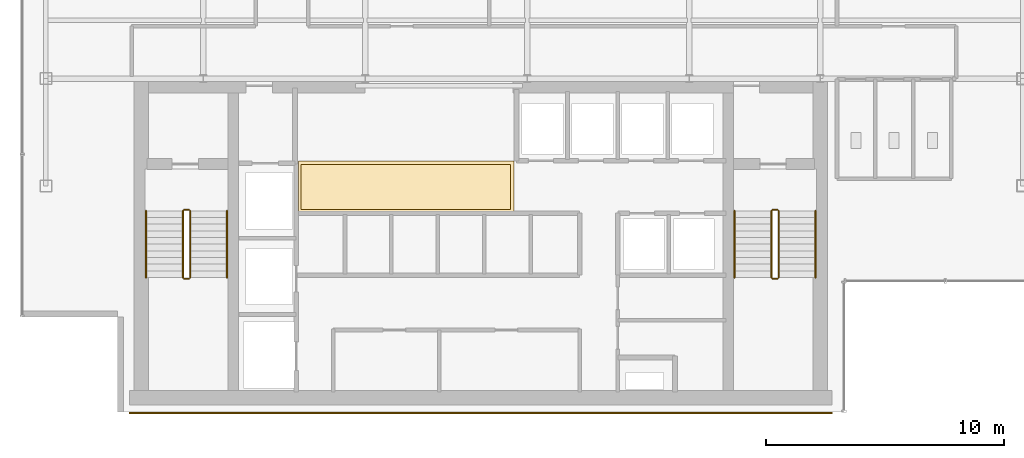
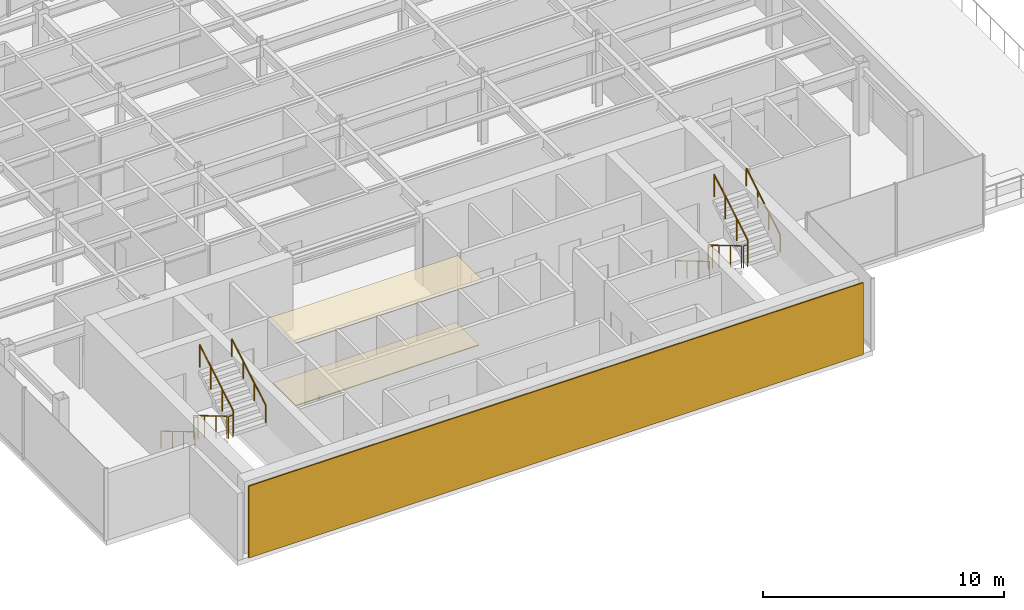
# One storey, part 19 of 21: 12 railings, 3 coverings.
"""IFC4 building model written with IfcOpenShell, lengths in metres."""

from ifc_helpers import new_model, si_unit, derived_unit, direction, frame, origin, origin_2d, place, context, subcontext, project, spatial, polyline, rectangle, circle, outline, extrude, source, transform, mapped, material, layer, layer_set, type_object, element, save


model = new_model("IFC4")

# Units and contexts
model_context = context("Model", 3, precision=1e-05, world=origin(), true_north=direction((0.0, 1.0)))
body_context = subcontext(model_context, "Body", "Model", "MODEL_VIEW")
ifc_project = project(units=[si_unit("LENGTHUNIT", "METRE"), si_unit("AREAUNIT", "SQUARE_METRE"), si_unit("VOLUMEUNIT", "CUBIC_METRE"), si_unit("PLANEANGLEUNIT", "RADIAN"), si_unit("MASSUNIT", "GRAM", prefix="KILO"), derived_unit("THERMALTRANSMITTANCEUNIT", [(si_unit("POWERUNIT", "WATT"), 1), (si_unit("LENGTHUNIT", "METRE"), -2), (si_unit("THERMODYNAMICTEMPERATUREUNIT", "KELVIN"), -1)])], contexts=[model_context])

# Site, building, storey
site_placement = place(None, origin())
site = spatial("IfcSite", under=ifc_project, at=site_placement, CompositionType="ELEMENT")
building_placement = place(site_placement, origin())
building = spatial("IfcBuilding", under=site, at=building_placement, Name="Skarnbrae Concourse Arena and Tower", CompositionType="ELEMENT")
storey_placement = place(building_placement, frame((0.0, 0.0, 188.60009765625)))
storey = spatial("IfcBuildingStorey", under=building, at=storey_placement, Name="L48", CompositionType="ELEMENT", Elevation=188.60009765625)

# Coverings
ifc_material_1 = material(Name="Mineral fibre acoustic ceiling tile", Category="other")
ifc_layer_1 = layer(ifc_material_1, 0.0400390625)
ifc_layer_set_1 = layer_set([ifc_layer_1], Name="Mineral fibre acoustic ceiling tile")
covering_type_1 = type_object("IfcCoveringType", Name="COV-CEIL-ACOUSTIC", PredefinedType="CEILING", material=ifc_layer_set_1)
covering_1_placement = place(storey_placement, frame((0.0, 0.0, 3.239990234375)))
element("IfcCovering", 1, at=covering_1_placement, inside=storey, type_object=covering_type_1, Name="L48 Lift lobby acoustic ceiling", PredefinedType="CEILING", context=body_context, shape_type="SweptSolid", body=[
    extrude(outline(polyline([(11.60009765625, 8.39990234375), (20.64990234375, 8.39990234375), (20.64990234375, 10.550048828125), (11.60009765625, 10.550048828125), (11.60009765625, 8.39990234375)])), origin(), (0.0, 0.0, 1.0), 0.039794921875),
])
ifc_material_2 = material(Name="Polished granite terrazzo flooring", Category="masonry")
ifc_layer_2 = layer(ifc_material_2, 0.0400390625)
ifc_layer_set_2 = layer_set([ifc_layer_2], Name="Polished granite terrazzo flooring")
covering_type_2 = type_object("IfcCoveringType", Name="COV-FLOOR-TERRAZZO", PredefinedType="FLOORING", material=ifc_layer_set_2)
covering_2_placement = place(storey_placement, origin())
element("IfcCovering", 2, at=covering_2_placement, inside=storey, type_object=covering_type_2, Name="L48 Lift lobby terrazzo flooring", PredefinedType="FLOORING", context=body_context, shape_type="SweptSolid", body=[
    extrude(outline(polyline([(11.699951171875, 8.5), (20.5, 8.5), (20.5, 10.39990234375), (11.699951171875, 10.39990234375), (11.699951171875, 8.5)])), origin(), (0.0, 0.0, 1.0), 0.039794921875),
])

# Railings
ifc_material_3 = material(Name="Steel CSA G40.21 350W", Category="steel")
railing_type_1 = type_object("IfcRailingType", Name="RAIL-HANDRAIL-900", PredefinedType="HANDRAIL", material=ifc_material_3)
railing_1_placement = place(storey_placement, frame((5.199951171875, 8.449951171875, 0.165771484375)))
element("IfcRailing", 3, at=railing_1_placement, inside=storey, type_object=railing_type_1, Name="L48 ST-1 stair handrail 1", PredefinedType="HANDRAIL", context=body_context, shape_type="SweptSolid", body=[
    extrude(circle(Radius=0.02392578125, at=origin_2d()), frame((0.0, 0.0, 0.8759765625), z_axis=(0.0, -0.860306154799, 0.50977771628), x_axis=(1.0, 0.0, 0.0)), (0.0, 0.0, 1.0), 3.254638671875),
    extrude(circle(Radius=0.02099609375, at=origin_2d()), origin(), (0.0, 0.0, 1.0), 0.851806640625),
    extrude(circle(Radius=0.02099609375, at=origin_2d()), frame((0.0, -0.933349609375, 0.552978515625)), (0.0, 0.0, 1.0), 0.851806640625),
    extrude(circle(Radius=0.02099609375, at=origin_2d()), frame((0.0, -1.86669921875, 1.106201171875)), (0.0, 0.0, 1.0), 0.851806640625),
    extrude(circle(Radius=0.02099609375, at=origin_2d()), frame((0.0, -2.800048828125, 1.6591796875)), (0.0, 0.0, 1.0), 0.851806640625),
])
railing_2_placement = place(storey_placement, frame((8.60009765625, 5.64990234375, 1.99072265625)))
element("IfcRailing", 4, at=railing_2_placement, inside=storey, type_object=railing_type_1, Name="L48 ST-1 stair handrail 2", PredefinedType="HANDRAIL", context=body_context, shape_type="SweptSolid", body=[
    extrude(circle(Radius=0.02392578125, at=origin_2d()), frame((0.0, 0.0, 0.8759765625), z_axis=(0.0, 0.860306154799, 0.50977771628), x_axis=(-1.0, 0.0, 0.0)), (0.0, 0.0, 1.0), 3.254638671875),
    extrude(circle(Radius=0.02099609375, at=origin_2d()), origin(), (0.0, 0.0, 1.0), 0.851806640625),
    extrude(circle(Radius=0.02099609375, at=origin_2d()), frame((0.0, 0.933349609375, 0.552978515625)), (0.0, 0.0, 1.0), 0.851806640625),
    extrude(circle(Radius=0.02099609375, at=origin_2d()), frame((0.0, 1.86669921875, 1.106201171875)), (0.0, 0.0, 1.0), 0.851806640625),
    extrude(circle(Radius=0.02099609375, at=origin_2d()), frame((0.0, 2.800048828125, 1.6591796875)), (0.0, 0.0, 1.0), 0.851806640625),
])
railing_3_placement = place(storey_placement, frame((29.89990234375, 8.449951171875, 0.165771484375)))
element("IfcRailing", 5, at=railing_3_placement, inside=storey, type_object=railing_type_1, Name="L48 ST-2 stair handrail 1", PredefinedType="HANDRAIL", context=body_context, shape_type="SweptSolid", body=[
    extrude(circle(Radius=0.02392578125, at=origin_2d()), frame((0.0, 0.0, 0.8759765625), z_axis=(0.0, -0.860306154799, 0.50977771628), x_axis=(1.0, 0.0, 0.0)), (0.0, 0.0, 1.0), 3.254638671875),
    extrude(circle(Radius=0.02099609375, at=origin_2d()), origin(), (0.0, 0.0, 1.0), 0.851806640625),
    extrude(circle(Radius=0.02099609375, at=origin_2d()), frame((0.0, -0.933349609375, 0.552978515625)), (0.0, 0.0, 1.0), 0.851806640625),
    extrude(circle(Radius=0.02099609375, at=origin_2d()), frame((0.0, -1.86669921875, 1.106201171875)), (0.0, 0.0, 1.0), 0.851806640625),
    extrude(circle(Radius=0.02099609375, at=origin_2d()), frame((0.0, -2.800048828125, 1.6591796875)), (0.0, 0.0, 1.0), 0.851806640625),
])
railing_4_placement = place(storey_placement, frame((33.300048828125, 5.64990234375, 1.99072265625)))
element("IfcRailing", 6, at=railing_4_placement, inside=storey, type_object=railing_type_1, Name="L48 ST-2 stair handrail 2", PredefinedType="HANDRAIL", context=body_context, shape_type="SweptSolid", body=[
    extrude(circle(Radius=0.02392578125, at=origin_2d()), frame((0.0, 0.0, 0.8759765625), z_axis=(0.0, 0.860306154799, 0.50977771628), x_axis=(-1.0, 0.0, 0.0)), (0.0, 0.0, 1.0), 3.254638671875),
    extrude(circle(Radius=0.02099609375, at=origin_2d()), origin(), (0.0, 0.0, 1.0), 0.851806640625),
    extrude(circle(Radius=0.02099609375, at=origin_2d()), frame((0.0, 0.933349609375, 0.552978515625)), (0.0, 0.0, 1.0), 0.851806640625),
    extrude(circle(Radius=0.02099609375, at=origin_2d()), frame((0.0, 1.86669921875, 1.106201171875)), (0.0, 0.0, 1.0), 0.851806640625),
    extrude(circle(Radius=0.02099609375, at=origin_2d()), frame((0.0, 2.800048828125, 1.6591796875)), (0.0, 0.0, 1.0), 0.851806640625),
])
railing_type_2 = type_object("IfcRailingType", Name="RAIL-STAIR-GUARD-1150", PredefinedType="GUARDRAIL", material=ifc_material_3)
railing_5_placement = place(storey_placement, frame((6.75, 8.449951171875, 0.165771484375)))
element("IfcRailing", 7, at=railing_5_placement, inside=storey, type_object=railing_type_2, Name="L48 ST-1 stair guard 1", PredefinedType="GUARDRAIL", context=body_context, shape_type="SweptSolid", body=[
    extrude(circle(Radius=0.02392578125, at=origin_2d()), frame((0.0, 0.0, 1.1259765625), z_axis=(0.0, -0.860306154799, 0.50977771628), x_axis=(1.0, 0.0, 0.0)), (0.0, 0.0, 1.0), 3.254638671875),
    extrude(circle(Radius=0.02099609375, at=origin_2d()), origin(), (0.0, 0.0, 1.0), 1.101806640625),
    extrude(circle(Radius=0.02099609375, at=origin_2d()), frame((0.0, -0.933349609375, 0.552978515625)), (0.0, 0.0, 1.0), 1.101806640625),
    extrude(circle(Radius=0.02099609375, at=origin_2d()), frame((0.0, -1.86669921875, 1.106201171875)), (0.0, 0.0, 1.0), 1.101806640625),
    extrude(circle(Radius=0.02099609375, at=origin_2d()), frame((0.0, -2.800048828125, 1.6591796875)), (0.0, 0.0, 1.0), 1.101806640625),
])
railing_6_placement = place(storey_placement, frame((6.800048828125, 5.60009765625, 1.824951171875)))
element("IfcRailing", 8, at=railing_6_placement, inside=storey, type_object=railing_type_2, Name="L48 ST-1 stair guard 2", PredefinedType="GUARDRAIL", context=body_context, shape_type="SweptSolid", body=[
    extrude(circle(Radius=0.02392578125, at=origin_2d()), frame((0.0, 0.0, 1.1259765625), z_axis=(1.0, 0.0, 0.0), x_axis=(0.0, 1.0, 0.0)), (0.0, 0.0, 1.0), 0.199951171875),
    extrude(circle(Radius=0.02099609375, at=origin_2d()), origin(), (0.0, 0.0, 1.0), 1.101806640625),
    extrude(circle(Radius=0.02099609375, at=origin_2d()), frame((0.199951171875, 0.0, 0.0)), (0.0, 0.0, 1.0), 1.101806640625),
])
railing_7_placement = place(storey_placement, frame((7.050048828125, 5.64990234375, 1.99072265625)))
element("IfcRailing", 9, at=railing_7_placement, inside=storey, type_object=railing_type_2, Name="L48 ST-1 stair guard 3", PredefinedType="GUARDRAIL", context=body_context, shape_type="SweptSolid", body=[
    extrude(circle(Radius=0.02392578125, at=origin_2d()), frame((0.0, 0.0, 1.1259765625), z_axis=(0.0, 0.860306154799, 0.50977771628), x_axis=(-1.0, 0.0, 0.0)), (0.0, 0.0, 1.0), 3.254638671875),
    extrude(circle(Radius=0.02099609375, at=origin_2d()), origin(), (0.0, 0.0, 1.0), 1.101806640625),
    extrude(circle(Radius=0.02099609375, at=origin_2d()), frame((0.0, 0.933349609375, 0.552978515625)), (0.0, 0.0, 1.0), 1.101806640625),
    extrude(circle(Radius=0.02099609375, at=origin_2d()), frame((0.0, 1.86669921875, 1.106201171875)), (0.0, 0.0, 1.0), 1.101806640625),
    extrude(circle(Radius=0.02099609375, at=origin_2d()), frame((0.0, 2.800048828125, 1.6591796875)), (0.0, 0.0, 1.0), 1.101806640625),
])
railing_8_placement = place(storey_placement, frame((6.800048828125, 8.5, 0.0)))
element("IfcRailing", 10, at=railing_8_placement, inside=storey, type_object=railing_type_2, Name="L48 ST-1 stair guard 4", PredefinedType="GUARDRAIL", context=body_context, shape_type="SweptSolid", body=[
    extrude(circle(Radius=0.02392578125, at=origin_2d()), frame((0.0, 0.0, 1.1259765625), z_axis=(1.0, 0.0, 0.0), x_axis=(0.0, 1.0, 0.0)), (0.0, 0.0, 1.0), 0.199951171875),
    extrude(circle(Radius=0.02099609375, at=origin_2d()), origin(), (0.0, 0.0, 1.0), 1.101806640625),
    extrude(circle(Radius=0.02099609375, at=origin_2d()), frame((0.199951171875, 0.0, 0.0)), (0.0, 0.0, 1.0), 1.101806640625),
])
railing_9_placement = place(storey_placement, frame((31.449951171875, 8.449951171875, 0.165771484375)))
element("IfcRailing", 11, at=railing_9_placement, inside=storey, type_object=railing_type_2, Name="L48 ST-2 stair guard 1", PredefinedType="GUARDRAIL", context=body_context, shape_type="SweptSolid", body=[
    extrude(circle(Radius=0.02392578125, at=origin_2d()), frame((0.0, 0.0, 1.1259765625), z_axis=(0.0, -0.860306154799, 0.50977771628), x_axis=(1.0, 0.0, 0.0)), (0.0, 0.0, 1.0), 3.254638671875),
    extrude(circle(Radius=0.02099609375, at=origin_2d()), origin(), (0.0, 0.0, 1.0), 1.101806640625),
    extrude(circle(Radius=0.02099609375, at=origin_2d()), frame((0.0, -0.933349609375, 0.552978515625)), (0.0, 0.0, 1.0), 1.101806640625),
    extrude(circle(Radius=0.02099609375, at=origin_2d()), frame((0.0, -1.86669921875, 1.106201171875)), (0.0, 0.0, 1.0), 1.101806640625),
    extrude(circle(Radius=0.02099609375, at=origin_2d()), frame((0.0, -2.800048828125, 1.6591796875)), (0.0, 0.0, 1.0), 1.101806640625),
])
railing_10_placement = place(storey_placement, frame((31.5, 5.60009765625, 1.824951171875)))
element("IfcRailing", 12, at=railing_10_placement, inside=storey, type_object=railing_type_2, Name="L48 ST-2 stair guard 2", PredefinedType="GUARDRAIL", context=body_context, shape_type="SweptSolid", body=[
    extrude(circle(Radius=0.02392578125, at=origin_2d()), frame((0.0, 0.0, 1.1259765625), z_axis=(1.0, 0.0, 0.0), x_axis=(0.0, 1.0, 0.0)), (0.0, 0.0, 1.0), 0.199951171875),
    extrude(circle(Radius=0.02099609375, at=origin_2d()), origin(), (0.0, 0.0, 1.0), 1.101806640625),
    extrude(circle(Radius=0.02099609375, at=origin_2d()), frame((0.199951171875, 0.0, 0.0)), (0.0, 0.0, 1.0), 1.101806640625),
])
railing_11_placement = place(storey_placement, frame((31.75, 5.64990234375, 1.99072265625)))
element("IfcRailing", 13, at=railing_11_placement, inside=storey, type_object=railing_type_2, Name="L48 ST-2 stair guard 3", PredefinedType="GUARDRAIL", context=body_context, shape_type="SweptSolid", body=[
    extrude(circle(Radius=0.02392578125, at=origin_2d()), frame((0.0, 0.0, 1.1259765625), z_axis=(0.0, 0.860306154799, 0.50977771628), x_axis=(-1.0, 0.0, 0.0)), (0.0, 0.0, 1.0), 3.254638671875),
    extrude(circle(Radius=0.02099609375, at=origin_2d()), origin(), (0.0, 0.0, 1.0), 1.101806640625),
    extrude(circle(Radius=0.02099609375, at=origin_2d()), frame((0.0, 0.933349609375, 0.552978515625)), (0.0, 0.0, 1.0), 1.101806640625),
    extrude(circle(Radius=0.02099609375, at=origin_2d()), frame((0.0, 1.86669921875, 1.106201171875)), (0.0, 0.0, 1.0), 1.101806640625),
    extrude(circle(Radius=0.02099609375, at=origin_2d()), frame((0.0, 2.800048828125, 1.6591796875)), (0.0, 0.0, 1.0), 1.101806640625),
])
railing_12_placement = place(storey_placement, frame((31.5, 8.5, 0.0)))
element("IfcRailing", 14, at=railing_12_placement, inside=storey, type_object=railing_type_2, Name="L48 ST-2 stair guard 4", PredefinedType="GUARDRAIL", context=body_context, shape_type="SweptSolid", body=[
    extrude(circle(Radius=0.02392578125, at=origin_2d()), frame((0.0, 0.0, 1.1259765625), z_axis=(1.0, 0.0, 0.0), x_axis=(0.0, 1.0, 0.0)), (0.0, 0.0, 1.0), 0.199951171875),
    extrude(circle(Radius=0.02099609375, at=origin_2d()), origin(), (0.0, 0.0, 1.0), 1.101806640625),
    extrude(circle(Radius=0.02099609375, at=origin_2d()), frame((0.199951171875, 0.0, 0.0)), (0.0, 0.0, 1.0), 1.101806640625),
])

# Covering
ifc_material_4 = material(Name="Bronze anodised aluminium 6063-T6", Category="aluminium")
ifc_layer_3 = layer(ifc_material_4, 0.06005859375)
ifc_layer_set_3 = layer_set([ifc_layer_3], Name="Bronze anodised aluminium 6063-T6")
covering_type_3 = type_object("IfcCoveringType", Name="COV-CLAD-BRONZE-60", PredefinedType="CLADDING", material=ifc_layer_set_3)
shared_shape = source(origin(), body_context, "Body", "SweptSolid", [
    extrude(rectangle(XDim=29.5, YDim=0.06005859375, at=origin_2d()), origin(), (0.0, 0.0, 1.0), 3.64990234375),
])
covering_3_placement = place(storey_placement, frame((19.25, -0.030029296875, 0.0), z_axis=(0.0, 0.0, 1.0), x_axis=(1.0, 0.0, 0.0)))
element("IfcCovering", 15, at=covering_3_placement, inside=storey, type_object=covering_type_3, Name="L48 Rear-core plumb spine bronze rainscreen panel", PredefinedType="CLADDING", context=body_context, shape_type="MappedRepresentation", body=[
    mapped(shared_shape, transform((0.0, 0.0, 0.0))),
])

save(model, "model.ifc")
